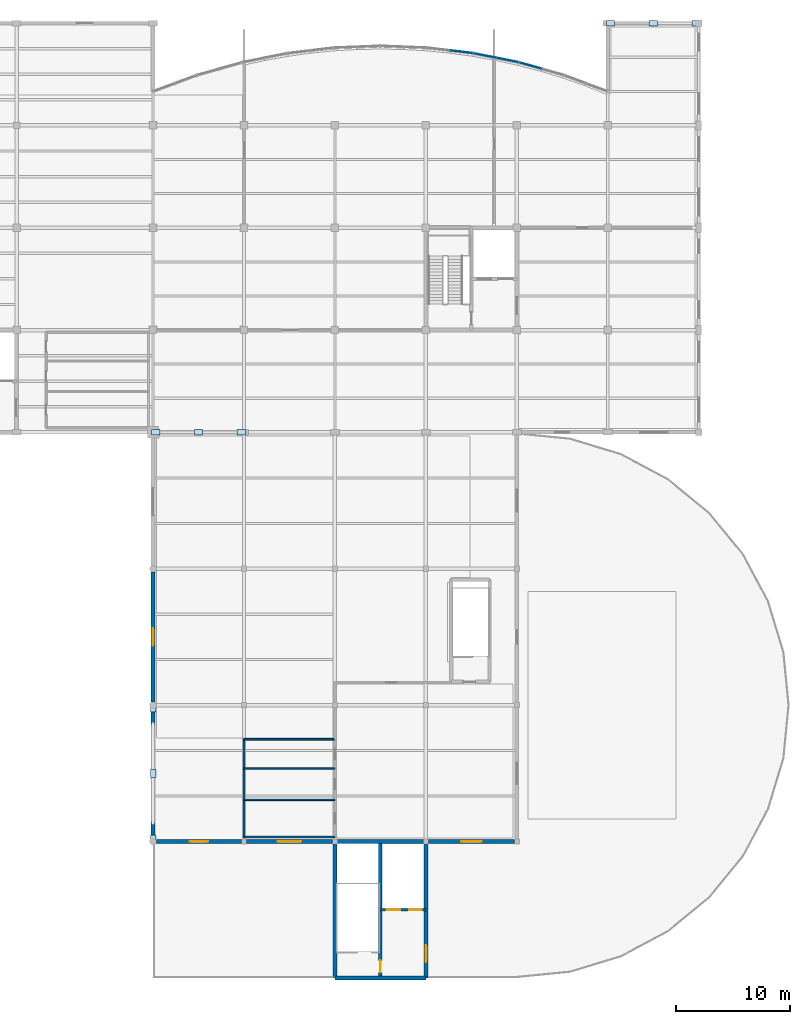
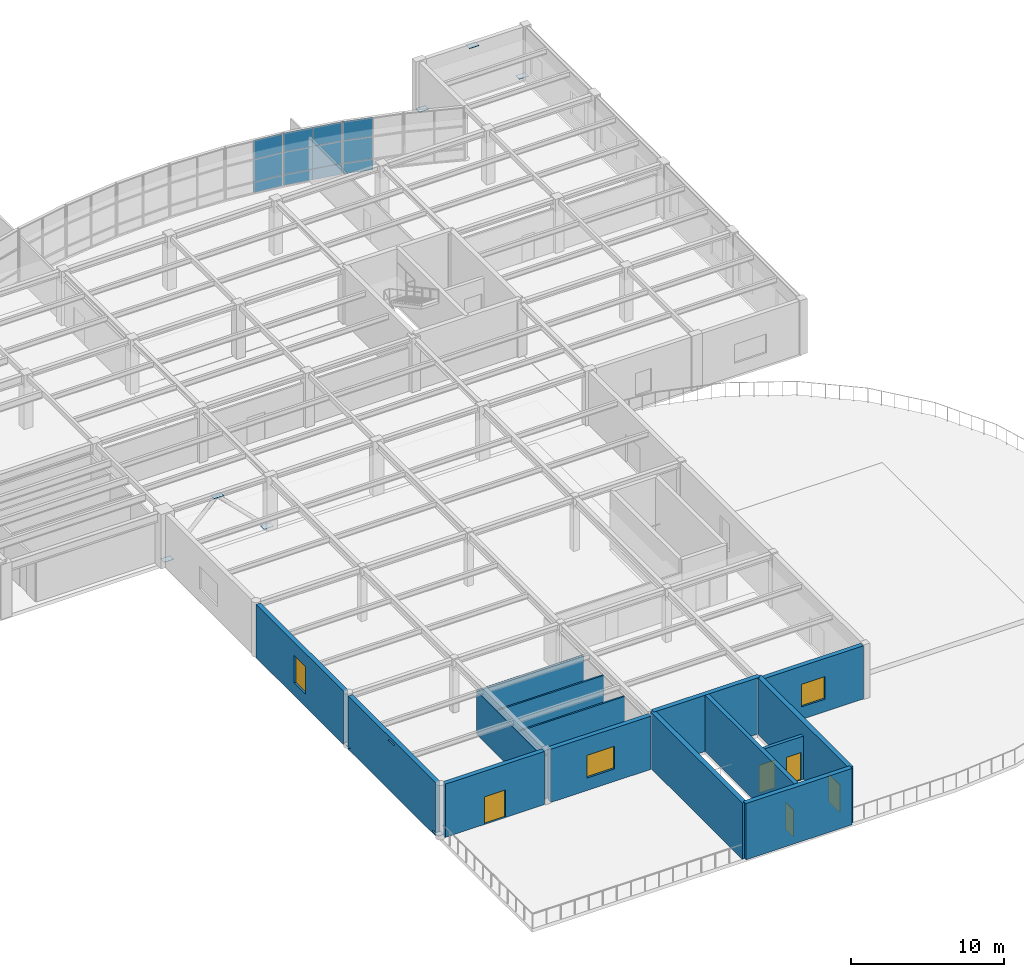
# One storey, part 7 of 16: 21 plates, 16 walls, 5 doors, 3 windows, 8 openings, 3 elements without a shape of their own.
"""IFC4 building model written with IfcOpenShell, lengths in metres."""

from ifc_helpers import new_model, si_unit, direction, frame, frame_2d, origin, origin_2d, place, context, subcontext, project, spatial, rectangle, extrude, material, layer, layer_set, type_object, element, fill, aggregate, save


model = new_model("IFC4")

# Units and contexts
model_context = context("Model", 3, precision=1e-05, world=origin(), true_north=direction((0.0, 1.0)))
body_context = subcontext(model_context, "Body", "Model", "MODEL_VIEW")
ifc_project = project(units=[si_unit("LENGTHUNIT", "METRE"), si_unit("AREAUNIT", "SQUARE_METRE"), si_unit("VOLUMEUNIT", "CUBIC_METRE"), si_unit("PLANEANGLEUNIT", "RADIAN"), si_unit("MASSUNIT", "GRAM", prefix="KILO")], contexts=[model_context])

# Site, building, storey
site_placement = place(None, origin())
site = spatial("IfcSite", under=ifc_project, at=site_placement, CompositionType="ELEMENT")
building_placement = place(site_placement, origin())
building = spatial("IfcBuilding", under=site, at=building_placement, Name="Keelwater Ferry Terminal", CompositionType="ELEMENT")
storey_placement = place(building_placement, frame((0.0, 0.0, 15.0)))
storey = spatial("IfcBuildingStorey", under=building, at=storey_placement, Name="L03", CompositionType="ELEMENT", Elevation=15.0)

# Curtain wall, plate
ifc_material_1 = material(Name="Thermally broken unitised aluminium and triple glass", Category="aluminium")
ifc_layer_1 = layer(ifc_material_1, 0.179931640625)
ifc_layer_set_1 = layer_set([ifc_layer_1], Name="Thermally broken unitised aluminium and triple glass")
curtain_wall_type = type_object("IfcCurtainWallType", Name="CW-22 Unitised Curtain Wall 4015x4150", PredefinedType="USERDEFINED", material=ifc_layer_set_1)
curtain_wall_1_placement = place(storey_placement, origin())
curtain_wall_1 = element("IfcCurtainWall", 1, at=curtain_wall_1_placement, inside=storey, type_object=curtain_wall_type, Name="Unitised Curtain Wall CW-L03-204", ObjectType="UNITISED CURTAIN WALL", PredefinedType="USERDEFINED")
ifc_material_2 = material(Name="Insulated terracotta shadow-box spandrel", Category="masonry")
ifc_layer_2 = layer(ifc_material_2, 0.110107421875)
ifc_layer_set_2 = layer_set([ifc_layer_2], Name="Insulated terracotta shadow-box spandrel")
plate_type_1 = type_object("IfcPlateType", Name="CWP-S3 Insulated Spandrel Panel 110", PredefinedType="CURTAIN_PANEL", material=ifc_layer_set_2)
plate_1_placement = place(storey_placement, frame((165.211669921875, 122.261962890625, 0.0), z_axis=(0.0, 0.0, 1.0), x_axis=(-0.962029778706, 0.272944508797, 0.0)))
plate_1 = element("IfcPlate", 2, at=plate_1_placement, type_object=plate_type_1, Name="CW-L03-204 Panel 2.1", PredefinedType="CURTAIN_PANEL", context=body_context, shape_type="SweptSolid", body=[
    extrude(rectangle(XDim=2.0078125, YDim=0.110107421875, at=origin_2d()), origin(), (0.0, 0.0, 1.0), 0.85009765625),
])

# Curtain wall, plates
curtain_wall_2_placement = place(storey_placement, origin())
curtain_wall_2 = element("IfcCurtainWall", 3, at=curtain_wall_2_placement, inside=storey, type_object=curtain_wall_type, Name="Unitised Curtain Wall CW-L03-205", ObjectType="UNITISED CURTAIN WALL", PredefinedType="USERDEFINED")
plate_2_placement = place(storey_placement, frame((163.1748046875, 122.753662109375, 0.0), z_axis=(0.0, 0.0, 1.0), x_axis=(-0.98059983046, 0.196020336958, 0.0)))
plate_2 = element("IfcPlate", 4, at=plate_2_placement, type_object=plate_type_1, Name="CW-L03-205 Panel 1.1", PredefinedType="CURTAIN_PANEL", context=body_context, shape_type="SweptSolid", body=[
    extrude(rectangle(XDim=2.00732421875, YDim=0.110107421875, at=origin_2d()), origin(), (0.0, 0.0, 1.0), 0.85009765625),
])
plate_3_placement = place(storey_placement, frame((161.206298828125, 123.147216796875, 0.0), z_axis=(0.0, 0.0, 1.0), x_axis=(-0.98059983046, 0.196020336958, 0.0)))
plate_3 = element("IfcPlate", 5, at=plate_3_placement, type_object=plate_type_1, Name="CW-L03-205 Panel 2.1", PredefinedType="CURTAIN_PANEL", context=body_context, shape_type="SweptSolid", body=[
    extrude(rectangle(XDim=2.00732421875, YDim=0.110107421875, at=origin_2d()), origin(), (0.0, 0.0, 1.0), 0.85009765625),
])

# Curtain wall, plate
curtain_wall_3_placement = place(storey_placement, origin())
curtain_wall_3 = element("IfcCurtainWall", 6, at=curtain_wall_3_placement, inside=storey, type_object=curtain_wall_type, Name="Unitised Curtain Wall CW-L03-206", ObjectType="UNITISED CURTAIN WALL", PredefinedType="USERDEFINED")
plate_4_placement = place(storey_placement, frame((159.136474609375, 123.476806640625, 0.0), z_axis=(0.0, 0.0, 1.0), x_axis=(-0.992974342459, 0.118329857676, 0.0)))
plate_4 = element("IfcPlate", 7, at=plate_4_placement, type_object=plate_type_1, Name="CW-L03-206 Panel 1.1", PredefinedType="CURTAIN_PANEL", context=body_context, shape_type="SweptSolid", body=[
    extrude(rectangle(XDim=2.007080078125, YDim=0.110107421875, at=origin_2d()), origin(), (0.0, 0.0, 1.0), 0.85009765625),
])

# Plate
ifc_material_3 = material(Name="Triple low-E laminated glass", Category="glass")
ifc_layer_3 = layer(ifc_material_3, 0.035888671875)
ifc_layer_set_3 = layer_set([ifc_layer_3], Name="Triple low-E laminated glass")
plate_type_2 = type_object("IfcPlateType", Name="CWP-V1 Glazed Vision Panel 36", PredefinedType="CURTAIN_PANEL", material=ifc_layer_set_3)
plate_5_placement = place(storey_placement, frame((165.211669921875, 122.261962890625, 0.85009765625), z_axis=(0.0, 0.0, 1.0), x_axis=(-0.962029778706, 0.272944508797, 0.0)))
plate_5 = element("IfcPlate", 8, at=plate_5_placement, type_object=plate_type_2, Name="CW-L03-204 Panel 2.2", PredefinedType="CURTAIN_PANEL", context=body_context, shape_type="SweptSolid", body=[
    extrude(rectangle(XDim=2.0078125, YDim=0.035888671875, at=origin_2d()), origin(), (0.0, 0.0, 1.0), 1.800048828125),
])

plate_6_placement = place(storey_placement, frame((165.211669921875, 122.261962890625, 2.64990234375), z_axis=(0.0, 0.0, 1.0), x_axis=(-0.962029778706, 0.272944508797, 0.0)))
plate_6 = element("IfcPlate", 9, at=plate_6_placement, type_object=plate_type_2, Name="CW-L03-204 Panel 2.3", PredefinedType="CURTAIN_PANEL", context=body_context, shape_type="SweptSolid", body=[
    extrude(rectangle(XDim=2.0078125, YDim=0.035888671875, at=origin_2d()), origin(), (0.0, 0.0, 1.0), 1.5),
])

aggregate(curtain_wall_1, [plate_1, plate_5, plate_6])

plate_7_placement = place(storey_placement, frame((163.1748046875, 122.753662109375, 0.85009765625), z_axis=(0.0, 0.0, 1.0), x_axis=(-0.98059983046, 0.196020336958, 0.0)))
plate_7 = element("IfcPlate", 10, at=plate_7_placement, type_object=plate_type_2, Name="CW-L03-205 Panel 1.2", PredefinedType="CURTAIN_PANEL", context=body_context, shape_type="SweptSolid", body=[
    extrude(rectangle(XDim=2.00732421875, YDim=0.035888671875, at=origin_2d()), origin(), (0.0, 0.0, 1.0), 1.800048828125),
])

plate_8_placement = place(storey_placement, frame((163.1748046875, 122.753662109375, 2.64990234375), z_axis=(0.0, 0.0, 1.0), x_axis=(-0.98059983046, 0.196020336958, 0.0)))
plate_8 = element("IfcPlate", 11, at=plate_8_placement, type_object=plate_type_2, Name="CW-L03-205 Panel 1.3", PredefinedType="CURTAIN_PANEL", context=body_context, shape_type="SweptSolid", body=[
    extrude(rectangle(XDim=2.00732421875, YDim=0.035888671875, at=origin_2d()), origin(), (0.0, 0.0, 1.0), 1.5),
])

plate_9_placement = place(storey_placement, frame((161.206298828125, 123.147216796875, 0.85009765625), z_axis=(0.0, 0.0, 1.0), x_axis=(-0.98059983046, 0.196020336958, 0.0)))
plate_9 = element("IfcPlate", 12, at=plate_9_placement, type_object=plate_type_2, Name="CW-L03-205 Panel 2.2", PredefinedType="CURTAIN_PANEL", context=body_context, shape_type="SweptSolid", body=[
    extrude(rectangle(XDim=2.00732421875, YDim=0.035888671875, at=origin_2d()), origin(), (0.0, 0.0, 1.0), 1.800048828125),
])

plate_10_placement = place(storey_placement, frame((161.206298828125, 123.147216796875, 2.64990234375), z_axis=(0.0, 0.0, 1.0), x_axis=(-0.98059983046, 0.196020336958, 0.0)))
plate_10 = element("IfcPlate", 13, at=plate_10_placement, type_object=plate_type_2, Name="CW-L03-205 Panel 2.3", PredefinedType="CURTAIN_PANEL", context=body_context, shape_type="SweptSolid", body=[
    extrude(rectangle(XDim=2.00732421875, YDim=0.035888671875, at=origin_2d()), origin(), (0.0, 0.0, 1.0), 1.5),
])

aggregate(curtain_wall_2, [plate_2, plate_7, plate_8, plate_3, plate_9, plate_10])

plate_11_placement = place(storey_placement, frame((159.136474609375, 123.476806640625, 0.85009765625), z_axis=(0.0, 0.0, 1.0), x_axis=(-0.992974342459, 0.118329857676, 0.0)))
plate_11 = element("IfcPlate", 14, at=plate_11_placement, type_object=plate_type_2, Name="CW-L03-206 Panel 1.2", PredefinedType="CURTAIN_PANEL", context=body_context, shape_type="SweptSolid", body=[
    extrude(rectangle(XDim=2.007080078125, YDim=0.035888671875, at=origin_2d()), origin(), (0.0, 0.0, 1.0), 1.800048828125),
])

plate_12_placement = place(storey_placement, frame((159.136474609375, 123.476806640625, 2.64990234375), z_axis=(0.0, 0.0, 1.0), x_axis=(-0.992974342459, 0.118329857676, 0.0)))
plate_12 = element("IfcPlate", 15, at=plate_12_placement, type_object=plate_type_2, Name="CW-L03-206 Panel 1.3", PredefinedType="CURTAIN_PANEL", context=body_context, shape_type="SweptSolid", body=[
    extrude(rectangle(XDim=2.007080078125, YDim=0.035888671875, at=origin_2d()), origin(), (0.0, 0.0, 1.0), 1.5),
])

aggregate(curtain_wall_3, [plate_4, plate_11, plate_12])

# Plates
ifc_material_4 = material(Name="Steel S355", Category="steel")
ifc_layer_4 = layer(ifc_material_4, 0.02490234375)
ifc_layer_set_4 = layer_set([ifc_layer_4], Name="Steel S355")
plate_type_3 = type_object("IfcPlateType", Name="GP3 720x480x25", PredefinedType="USERDEFINED", material=ifc_layer_set_4)
for number, where, z_axis, x_axis, name in (
    (16, (132.0, 60.0, 3.9775390625), (0.0, 0.0, 1.0), (0.0, 1.0, 0.0), "Connection Gusset Plate 90"),
    (17, (132.0, 54.239990234375, 0.2275390625), (0.0, 0.0, 1.0), (0.0, 1.0, 0.0), "Connection Gusset Plate 91"),
    (18, (132.0, 65.760009765625, 0.2275390625), (0.0, 0.0, 1.0), (0.0, 1.0, 0.0), "Connection Gusset Plate 92"),
    (19, (136.0, 90.0, 3.9775390625), (0.0, 0.0, 1.0), (1.0, 0.0, 0.0), "Connection Gusset Plate 111"),
    (20, (132.239990234375, 90.0, 0.2275390625), (0.0, 0.0, 1.0), (1.0, 0.0, 0.0), "Connection Gusset Plate 112"),
    (21, (139.760009765625, 90.0, 0.2275390625), (0.0, 0.0, 1.0), (1.0, 0.0, 0.0), "Connection Gusset Plate 113"),
    (22, (176.0, 126.0, 3.9775390625), (0.0, 0.0, 1.0), (1.0, 0.0, 0.0), "Connection Gusset Plate 126"),
    (23, (172.239990234375, 126.0, 0.2275390625), (0.0, 0.0, 1.0), (1.0, 0.0, 0.0), "Connection Gusset Plate 127"),
    (24, (179.760009765625, 126.0, 0.2275390625), (0.0, 0.0, 1.0), (1.0, 0.0, 0.0), "Connection Gusset Plate 128"),
):
    element("IfcPlate", number, at=place(storey_placement, frame(where, z_axis=z_axis, x_axis=x_axis)), inside=storey, type_object=plate_type_3, Name=name, ObjectType="GUSSET PLATE", PredefinedType="USERDEFINED", context=body_context, shape_type="SweptSolid", body=[
        extrude(rectangle(XDim=0.719970703125, YDim=0.47998046875, at=origin_2d()), origin(), (0.0, 0.0, 1.0), 0.02490234375),
    ])

# Wall
ifc_material_5 = material(Name="Precast concrete C40/50", Category="concrete")
ifc_layer_5 = layer(ifc_material_5, 0.340087890625)
ifc_layer_set_5 = layer_set([ifc_layer_5], Name="Precast concrete C40/50")
wall_type_1 = type_object("IfcWallType", Name="EW-LM340 External Solid Wall 340", PredefinedType="SOLIDWALL", material=ifc_layer_set_5)
wall_1_placement = place(storey_placement, frame((132.0, 65.699951171875, 0.0), z_axis=(0.0, 0.0, 1.0), x_axis=(0.0, -1.0, 0.0)))
element("IfcWall", 25, at=wall_1_placement, inside=storey, type_object=wall_type_1, Name="External Wall WL-L03-0074", PredefinedType="SOLIDWALL", context=body_context, shape_type="SweptSolid", body=[
    extrude(rectangle(XDim=11.39990234375, YDim=0.340087890625, at=frame_2d((5.699951171875, 0.0))), origin(), (0.0, 0.0, 1.0), 4.239990234375),
])

# Wall, opening, window
wall_2_placement = place(storey_placement, frame((132.0, 77.699951171875, 0.0), z_axis=(0.0, 0.0, 1.0), x_axis=(0.0, -1.0, 0.0)))
wall_2 = element("IfcWall", 26, at=wall_2_placement, inside=storey, type_object=wall_type_1, Name="External Wall WL-L03-0076", PredefinedType="SOLIDWALL", context=body_context, shape_type="SweptSolid", body=[
    extrude(rectangle(XDim=11.39990234375, YDim=0.340087890625, at=frame_2d((5.699951171875, 0.0))), origin(), (0.0, 0.0, 1.0), 4.239990234375),
])
opening_1_placement = place(wall_2_placement, frame((4.949951171875, 0.0, 1.0)))
opening_1 = element("IfcOpeningElement", 27, at=opening_1_placement, cuts=wall_2, Name="Opening WN-04", PredefinedType="OPENING", context=body_context, shape_type="SweptSolid", body=[
    extrude(rectangle(XDim=1.5, YDim=2.199951171875, at=frame_2d((0.75, 1.10009765625))), frame((0.0, 0.179931640625, 0.0), z_axis=(0.0, -1.0, 0.0), x_axis=(1.0, 0.0, 0.0)), (0.0, 0.0, 1.0), 0.360107421875),
])
ifc_material_6 = material(Name="Triple low-E glass in thermally broken aluminium frame", Category="aluminium")
window_type_1 = type_object("IfcWindowType", Name="WN-04 Exterior Window 1500x2200", PartitioningType="SINGLE_PANEL", PredefinedType="WINDOW", material=ifc_material_6)
window_1_placement = place(opening_1_placement, origin())
window_1 = element("IfcWindow", 28, at=window_1_placement, inside=storey, type_object=window_type_1, Name="Window WN-L03-0036", OverallHeight=2.199951171875, OverallWidth=1.5, PartitioningType="SINGLE_PANEL", PredefinedType="WINDOW", context=body_context, shape_type="SweptSolid", body=[
    extrude(rectangle(XDim=1.5, YDim=2.199951171875, at=frame_2d((0.75, 1.10009765625))), frame((0.0, 0.030029296875, 0.0), z_axis=(0.0, -1.0, 0.0), x_axis=(1.0, 0.0, 0.0)), (0.0, 0.0, 1.0), 0.06005859375),
])
fill(opening_1, window_1)

# Wall, opening, door
wall_3_placement = place(storey_placement, frame((139.77490234375, 54.0, 0.0), z_axis=(0.0, 0.0, 1.0), x_axis=(-1.0, 0.0, 0.0)))
wall_3 = element("IfcWall", 29, at=wall_3_placement, inside=storey, type_object=wall_type_1, Name="External Wall WL-L03-0080", PredefinedType="SOLIDWALL", context=body_context, shape_type="SweptSolid", body=[
    extrude(rectangle(XDim=7.474853515625, YDim=0.340087890625, at=frame_2d((3.7373046875, 0.0))), origin(), (0.0, 0.0, 1.0), 4.239990234375),
])
opening_2_placement = place(wall_3_placement, frame((2.93701171875, 0.0, 0.0)))
opening_2 = element("IfcOpeningElement", 30, at=opening_2_placement, cuts=wall_3, Name="Opening TD-09", PredefinedType="OPENING", context=body_context, shape_type="SweptSolid", body=[
    extrude(rectangle(XDim=1.60009765625, YDim=2.199951171875, at=frame_2d((0.800048828125, 1.10009765625))), frame((0.0, 0.179931640625, 0.0), z_axis=(0.0, -1.0, 0.0), x_axis=(1.0, 0.0, 0.0)), (0.0, 0.0, 1.0), 0.360107421875),
])
ifc_material_7 = material(Name="Anodised aluminium and laminated safety glass", Category="aluminium")
door_type_1 = type_object("IfcDoorType", Name="TD-T2 Pedestrian Door 1600x2200", OperationType="DOUBLE_DOOR_SINGLE_SWING", PredefinedType="DOOR", material=ifc_material_7)
door_1_placement = place(opening_2_placement, origin())
door_1 = element("IfcDoor", 31, at=door_1_placement, inside=storey, type_object=door_type_1, Name="Door TD-09", OperationType="DOUBLE_DOOR_SINGLE_SWING", OverallHeight=2.199951171875, OverallWidth=1.60009765625, PredefinedType="DOOR", context=body_context, shape_type="SweptSolid", body=[
    extrude(rectangle(XDim=1.60009765625, YDim=2.199951171875, at=frame_2d((0.800048828125, 1.10009765625))), frame((0.0, 0.02490234375, 0.0), z_axis=(0.0, -1.0, 0.0), x_axis=(1.0, 0.0, 0.0)), (0.0, 0.0, 1.0), 0.050048828125),
])
fill(opening_2, door_1)

# Wall, opening, window
wall_4_placement = place(storey_placement, frame((147.77490234375, 54.0, 0.0), z_axis=(0.0, 0.0, 1.0), x_axis=(-1.0, 0.0, 0.0)))
wall_4 = element("IfcWall", 32, at=wall_4_placement, inside=storey, type_object=wall_type_1, Name="External Wall WL-L03-0081", PredefinedType="SOLIDWALL", context=body_context, shape_type="SweptSolid", body=[
    extrude(rectangle(XDim=7.5498046875, YDim=0.340087890625, at=frame_2d((3.77490234375, 0.0))), origin(), (0.0, 0.0, 1.0), 4.239990234375),
])
opening_3_placement = place(wall_4_placement, frame((2.72509765625, 0.0, 1.0)))
opening_3 = element("IfcOpeningElement", 33, at=opening_3_placement, cuts=wall_4, Name="Opening WN-07", PredefinedType="OPENING", context=body_context, shape_type="SweptSolid", body=[
    extrude(rectangle(XDim=2.10009765625, YDim=1.800048828125, at=frame_2d((1.050048828125, 0.89990234375))), frame((0.0, 0.179931640625, 0.0), z_axis=(0.0, -1.0, 0.0), x_axis=(1.0, 0.0, 0.0)), (0.0, 0.0, 1.0), 0.360107421875),
])
ifc_material_8 = material(Name="Triple low-E glass in thermally broken aluminium frame", Category="aluminium")
window_type_2 = type_object("IfcWindowType", Name="WN-07 Exterior Window 2100x1800", PartitioningType="SINGLE_PANEL", PredefinedType="WINDOW", material=ifc_material_8)
window_2_placement = place(opening_3_placement, origin())
window_2 = element("IfcWindow", 34, at=window_2_placement, inside=storey, type_object=window_type_2, Name="Window WN-L03-0039", OverallHeight=1.800048828125, OverallWidth=2.10009765625, PartitioningType="SINGLE_PANEL", PredefinedType="WINDOW", context=body_context, shape_type="SweptSolid", body=[
    extrude(rectangle(XDim=2.10009765625, YDim=1.800048828125, at=frame_2d((1.050048828125, 0.89990234375))), frame((0.0, 0.030029296875, 0.0), z_axis=(0.0, -1.0, 0.0), x_axis=(1.0, 0.0, 0.0)), (0.0, 0.0, 1.0), 0.06005859375),
])
fill(opening_3, window_2)

wall_5_placement = place(storey_placement, frame((163.77490234375, 54.0, 0.0), z_axis=(0.0, 0.0, 1.0), x_axis=(-1.0, 0.0, 0.0)))
wall_5 = element("IfcWall", 35, at=wall_5_placement, inside=storey, type_object=wall_type_1, Name="External Wall WL-L03-0082", PredefinedType="SOLIDWALL", context=body_context, shape_type="SweptSolid", body=[
    extrude(rectangle(XDim=7.5498046875, YDim=0.340087890625, at=frame_2d((3.77490234375, 0.0))), origin(), (0.0, 0.0, 1.0), 4.239990234375),
])
opening_4_placement = place(wall_5_placement, frame((2.875, 0.0, 1.0)))
opening_4 = element("IfcOpeningElement", 36, at=opening_4_placement, cuts=wall_5, Name="Opening WN-08", PredefinedType="OPENING", context=body_context, shape_type="SweptSolid", body=[
    extrude(rectangle(XDim=1.800048828125, YDim=1.800048828125, at=frame_2d((0.89990234375, 0.89990234375))), frame((0.0, 0.179931640625, 0.0), z_axis=(0.0, -1.0, 0.0), x_axis=(1.0, 0.0, 0.0)), (0.0, 0.0, 1.0), 0.360107421875),
])
ifc_material_9 = material(Name="Triple low-E glass in thermally broken aluminium frame", Category="aluminium")
window_type_3 = type_object("IfcWindowType", Name="WN-08 Exterior Window 1800x1800", PartitioningType="SINGLE_PANEL", PredefinedType="WINDOW", material=ifc_material_9)
window_3_placement = place(opening_4_placement, origin())
window_3 = element("IfcWindow", 37, at=window_3_placement, inside=storey, type_object=window_type_3, Name="Window WN-L03-0040", OverallHeight=1.800048828125, OverallWidth=1.800048828125, PartitioningType="SINGLE_PANEL", PredefinedType="WINDOW", context=body_context, shape_type="SweptSolid", body=[
    extrude(rectangle(XDim=1.800048828125, YDim=1.800048828125, at=frame_2d((0.89990234375, 0.89990234375))), frame((0.0, 0.030029296875, 0.0), z_axis=(0.0, -1.0, 0.0), x_axis=(1.0, 0.0, 0.0)), (0.0, 0.0, 1.0), 0.06005859375),
])
fill(opening_4, window_3)

# Wall, openings, doors
ifc_material_10 = material(Name="Concrete C40/50", Category="concrete")
ifc_layer_6 = layer(ifc_material_10, 0.25)
ifc_layer_set_6 = layer_set([ifc_layer_6], Name="Concrete C40/50")
wall_type_2 = type_object("IfcWallType", Name="IW-250 Solid Wall 250", PredefinedType="SOLIDWALL", material=ifc_layer_set_6)
wall_6_placement = place(storey_placement, frame((156.0, 48.0, 0.0), z_axis=(0.0, 0.0, 1.0), x_axis=(-1.0, 0.0, 0.0)))
wall_6 = element("IfcWall", 38, at=wall_6_placement, inside=storey, type_object=wall_type_2, Name="Interior Wall WL-INT-L03-0114", PredefinedType="SOLIDWALL", context=body_context, shape_type="SweptSolid", body=[
    extrude(rectangle(XDim=4.0, YDim=0.25, at=frame_2d((2.0, 0.0))), origin(), (0.0, 0.0, 1.0), 3.449951171875),
])
opening_5_placement = place(wall_6_placement, frame((0.35009765625, 0.0, 0.0)))
opening_5 = element("IfcOpeningElement", 39, at=opening_5_placement, cuts=wall_6, Name="Opening LD-037", PredefinedType="OPENING", context=body_context, shape_type="SweptSolid", body=[
    extrude(rectangle(XDim=1.10009765625, YDim=2.199951171875, at=frame_2d((0.550048828125, 1.10009765625))), frame((0.0, 0.135009765625, 0.0), z_axis=(0.0, -1.0, 0.0), x_axis=(1.0, 0.0, 0.0)), (0.0, 0.0, 1.0), 0.27001953125),
])
opening_6_placement = place(wall_6_placement, frame((2.25, 0.0, 0.0)))
opening_6 = element("IfcOpeningElement", 40, at=opening_6_placement, cuts=wall_6, Name="Opening LD-038", PredefinedType="OPENING", context=body_context, shape_type="SweptSolid", body=[
    extrude(rectangle(XDim=1.199951171875, YDim=2.199951171875, at=frame_2d((0.60009765625, 1.10009765625))), frame((0.0, 0.135009765625, 0.0), z_axis=(0.0, -1.0, 0.0), x_axis=(1.0, 0.0, 0.0)), (0.0, 0.0, 1.0), 0.27001953125),
])
ifc_material_11 = material(Name="Stainless steel sliding landing doors", Category="steel")
door_type_2 = type_object("IfcDoorType", Name="LD-T1 Lift Landing Door 1100x2200", OperationType="SLIDING_TO_LEFT", PredefinedType="USERDEFINED", material=ifc_material_11)
door_2_placement = place(opening_5_placement, origin())
door_2 = element("IfcDoor", 41, at=door_2_placement, inside=storey, type_object=door_type_2, Name="Door LD-037", ObjectType="LANDING DOOR", OperationType="SLIDING_TO_LEFT", OverallHeight=2.199951171875, OverallWidth=1.10009765625, PredefinedType="USERDEFINED", context=body_context, shape_type="SweptSolid", body=[
    extrude(rectangle(XDim=1.10009765625, YDim=2.199951171875, at=frame_2d((0.550048828125, 1.10009765625))), frame((0.0, 0.02490234375, 0.0), z_axis=(0.0, -1.0, 0.0), x_axis=(1.0, 0.0, 0.0)), (0.0, 0.0, 1.0), 0.050048828125),
])
fill(opening_5, door_2)
ifc_material_12 = material(Name="Stainless steel sliding landing doors", Category="steel")
door_type_3 = type_object("IfcDoorType", Name="LD-T2 Lift Landing Door 1200x2200", OperationType="DOUBLE_DOOR_SLIDING", PredefinedType="USERDEFINED", material=ifc_material_12)
door_3_placement = place(opening_6_placement, origin())
door_3 = element("IfcDoor", 42, at=door_3_placement, inside=storey, type_object=door_type_3, Name="Door LD-038", ObjectType="LANDING DOOR", OperationType="DOUBLE_DOOR_SLIDING", OverallHeight=2.199951171875, OverallWidth=1.199951171875, PredefinedType="USERDEFINED", context=body_context, shape_type="SweptSolid", body=[
    extrude(rectangle(XDim=1.199951171875, YDim=2.199951171875, at=frame_2d((0.60009765625, 1.10009765625))), frame((0.0, 0.02490234375, 0.0), z_axis=(0.0, -1.0, 0.0), x_axis=(1.0, 0.0, 0.0)), (0.0, 0.0, 1.0), 0.050048828125),
])
fill(opening_6, door_3)

# Walls
ifc_material_13 = material(Name="Gypsum board on acoustic steel stud", Category="steel")
ifc_layer_7 = layer(ifc_material_13, 0.125)
ifc_layer_set_7 = layer_set([ifc_layer_7], Name="Gypsum board on acoustic steel stud")
wall_type_3 = type_object("IfcWallType", Name="PT-125 Partition Wall 125", PredefinedType="PARTITIONING", material=ifc_layer_set_7)
for number, where, z_axis, x_axis, name in (
    (43, (140.0, 57.66796875, 0.0), (0.0, 0.0, 1.0), (1.0, 0.0, 0.0), "Interior Wall WL-INT-L03-0224"),
    (44, (140.0, 60.419921875, 0.0), (0.0, 0.0, 1.0), (1.0, 0.0, 0.0), "Interior Wall WL-INT-L03-0225"),
):
    element("IfcWall", number, at=place(storey_placement, frame(where, z_axis=z_axis, x_axis=x_axis)), inside=storey, type_object=wall_type_3, Name=name, PredefinedType="PARTITIONING", context=body_context, shape_type="SweptSolid", body=[
        extrude(rectangle(XDim=8.0, YDim=0.125, at=frame_2d((4.0, 0.0))), origin(), (0.0, 0.0, 1.0), 3.449951171875),
    ])
ifc_material_14 = material(Name="Gypsum board on acoustic steel stud", Category="steel")
ifc_layer_8 = layer(ifc_material_14, 0.14990234375)
ifc_layer_set_8 = layer_set([ifc_layer_8], Name="Gypsum board on acoustic steel stud")
wall_type_4 = type_object("IfcWallType", Name="PT-150 Partition Wall 150", PredefinedType="PARTITIONING", material=ifc_layer_set_8)
wall_7_placement = place(storey_placement, frame((140.0, 54.39990234375, 0.0), z_axis=(0.0, 0.0, 1.0), x_axis=(0.0, 1.0, 0.0)))
element("IfcWall", 45, at=wall_7_placement, inside=storey, type_object=wall_type_4, Name="Interior Wall WL-INT-L03-0220", PredefinedType="PARTITIONING", context=body_context, shape_type="SweptSolid", body=[
    extrude(rectangle(XDim=8.60009765625, YDim=0.14990234375, at=frame_2d((4.300048828125, 0.0))), origin(), (0.0, 0.0, 1.0), 3.449951171875),
])
for number, where, z_axis, x_axis, name in (
    (46, (140.0, 63.0, 0.0), (0.0, 0.0, 1.0), (1.0, 0.0, 0.0), "Interior Wall WL-INT-L03-0222"),
    (47, (140.0, 54.39990234375, 0.0), (0.0, 0.0, 1.0), (1.0, 0.0, 0.0), "Interior Wall WL-INT-L03-0223"),
):
    element("IfcWall", number, at=place(storey_placement, frame(where, z_axis=z_axis, x_axis=x_axis)), inside=storey, type_object=wall_type_4, Name=name, PredefinedType="PARTITIONING", context=body_context, shape_type="SweptSolid", body=[
        extrude(rectangle(XDim=8.0, YDim=0.14990234375, at=frame_2d((4.0, 0.0))), origin(), (0.0, 0.0, 1.0), 3.449951171875),
    ])

# Wall, opening, door
ifc_material_15 = material(Name="Concrete C45/55", Category="concrete")
ifc_layer_9 = layer(ifc_material_15, 0.300048828125)
ifc_layer_set_9 = layer_set([ifc_layer_9], Name="Concrete C45/55")
wall_type_5 = type_object("IfcWallType", Name="SW-300 Shear Wall 300", PredefinedType="SHEAR", material=ifc_layer_set_9)
wall_8_placement = place(storey_placement, frame((152.0, 54.0, 0.0), z_axis=(0.0, 0.0, 1.0), x_axis=(0.0, -1.0, 0.0)))
wall_8 = element("IfcWall", 48, at=wall_8_placement, inside=storey, type_object=wall_type_5, Name="Interior Wall WL-INT-L03-0113", PredefinedType="SHEAR", context=body_context, shape_type="SweptSolid", body=[
    extrude(rectangle(XDim=12.0, YDim=0.300048828125, at=frame_2d((6.0, 0.0))), origin(), (0.0, 0.0, 1.0), 4.47998046875),
])
opening_7_placement = place(wall_8_placement, frame((10.449951171875, 0.0, 0.0)))
opening_7 = element("IfcOpeningElement", 49, at=opening_7_placement, cuts=wall_8, Name="Opening FD-037", PredefinedType="OPENING", context=body_context, shape_type="SweptSolid", body=[
    extrude(rectangle(XDim=1.050048828125, YDim=2.14990234375, at=frame_2d((0.52490234375, 1.074951171875))), frame((0.0, 0.159912109375, 0.0), z_axis=(0.0, -1.0, 0.0), x_axis=(1.0, 0.0, 0.0)), (0.0, 0.0, 1.0), 0.320068359375),
])
ifc_material_16 = material(Name="Acoustic oak and fire-rated steel frame door", Category="steel")
door_type_4 = type_object("IfcDoorType", Name="ID-06 Pedestrian Door 1050x2150", OperationType="NOTDEFINED", PredefinedType="DOOR", material=ifc_material_16)
door_4_placement = place(opening_7_placement, origin())
door_4 = element("IfcDoor", 50, at=door_4_placement, inside=storey, type_object=door_type_4, Name="Door FD-037", OperationType="SINGLE_SWING_LEFT", OverallHeight=2.14990234375, OverallWidth=1.050048828125, PredefinedType="DOOR", context=body_context, shape_type="SweptSolid", body=[
    extrude(rectangle(XDim=1.050048828125, YDim=2.14990234375, at=frame_2d((0.52490234375, 1.074951171875))), frame((0.0, 0.02490234375, 0.0), z_axis=(0.0, -1.0, 0.0), x_axis=(1.0, 0.0, 0.0)), (0.0, 0.0, 1.0), 0.050048828125),
])
fill(opening_7, door_4)

# Walls
ifc_material_17 = material(Name="Concrete C45/55", Category="concrete")
ifc_layer_10 = layer(ifc_material_17, 0.35009765625)
ifc_layer_set_10 = layer_set([ifc_layer_10], Name="Concrete C45/55")
wall_type_6 = type_object("IfcWallType", Name="SW-350 Shear Wall 350", PredefinedType="SHEAR", material=ifc_layer_set_10)
for number, where, z_axis, x_axis, name in (
    (51, (148.0, 42.0, 0.0), (0.0, 0.0, 1.0), (1.0, 0.0, 0.0), "Interior Wall WL-INT-L03-0109"),
    (52, (148.0, 54.0, 0.0), (0.0, 0.0, 1.0), (1.0, 0.0, 0.0), "Interior Wall WL-INT-L03-0110"),
):
    element("IfcWall", number, at=place(storey_placement, frame(where, z_axis=z_axis, x_axis=x_axis)), inside=storey, type_object=wall_type_6, Name=name, PredefinedType="SHEAR", context=body_context, shape_type="SweptSolid", body=[
        extrude(rectangle(XDim=8.0, YDim=0.35009765625, at=frame_2d((4.0, 0.0))), origin(), (0.0, 0.0, 1.0), 4.47998046875),
    ])
wall_9_placement = place(storey_placement, frame((148.0, 42.0, 0.0), z_axis=(0.0, 0.0, 1.0), x_axis=(0.0, 1.0, 0.0)))
element("IfcWall", 53, at=wall_9_placement, inside=storey, type_object=wall_type_6, Name="Interior Wall WL-INT-L03-0111", PredefinedType="SHEAR", context=body_context, shape_type="SweptSolid", body=[
    extrude(rectangle(XDim=12.0, YDim=0.35009765625, at=frame_2d((6.0, 0.0))), origin(), (0.0, 0.0, 1.0), 4.47998046875),
])

# Wall, opening, door
wall_10_placement = place(storey_placement, frame((156.0, 42.0, 0.0), z_axis=(0.0, 0.0, 1.0), x_axis=(0.0, 1.0, 0.0)))
wall_10 = element("IfcWall", 54, at=wall_10_placement, inside=storey, type_object=wall_type_6, Name="Interior Wall WL-INT-L03-0112", PredefinedType="SHEAR", context=body_context, shape_type="SweptSolid", body=[
    extrude(rectangle(XDim=12.0, YDim=0.35009765625, at=frame_2d((6.0, 0.0))), origin(), (0.0, 0.0, 1.0), 4.47998046875),
])
opening_8_placement = place(wall_10_placement, frame((1.39990234375, 0.0, 0.0)))
opening_8 = element("IfcOpeningElement", 55, at=opening_8_placement, cuts=wall_10, Name="Opening FD-038", PredefinedType="OPENING", context=body_context, shape_type="SweptSolid", body=[
    extrude(rectangle(XDim=1.5, YDim=2.199951171875, at=frame_2d((0.75, 1.10009765625))), frame((0.0, 0.18505859375, 0.0), z_axis=(0.0, -1.0, 0.0), x_axis=(1.0, 0.0, 0.0)), (0.0, 0.0, 1.0), 0.3701171875),
])
ifc_material_18 = material(Name="Acoustic oak and fire-rated steel frame door", Category="steel")
door_type_5 = type_object("IfcDoorType", Name="ID-02 Pedestrian Door 1500x2200", OperationType="DOUBLE_DOOR_SINGLE_SWING", PredefinedType="DOOR", material=ifc_material_18)
door_5_placement = place(opening_8_placement, origin())
door_5 = element("IfcDoor", 56, at=door_5_placement, inside=storey, type_object=door_type_5, Name="Door FD-038", OperationType="DOUBLE_DOOR_SINGLE_SWING", OverallHeight=2.199951171875, OverallWidth=1.5, PredefinedType="DOOR", context=body_context, shape_type="SweptSolid", body=[
    extrude(rectangle(XDim=1.5, YDim=2.199951171875, at=frame_2d((0.75, 1.10009765625))), frame((0.0, 0.02490234375, 0.0), z_axis=(0.0, -1.0, 0.0), x_axis=(1.0, 0.0, 0.0)), (0.0, 0.0, 1.0), 0.050048828125),
])
fill(opening_8, door_5)

save(model, "model.ifc")
